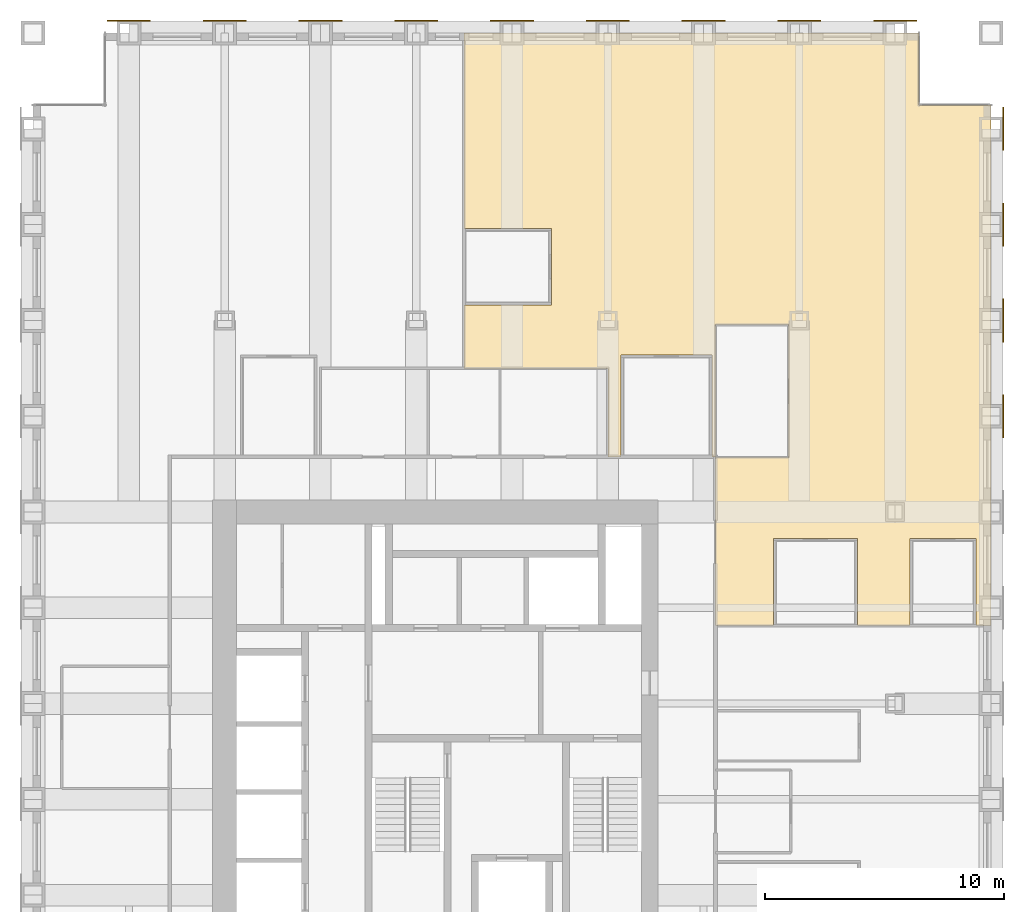
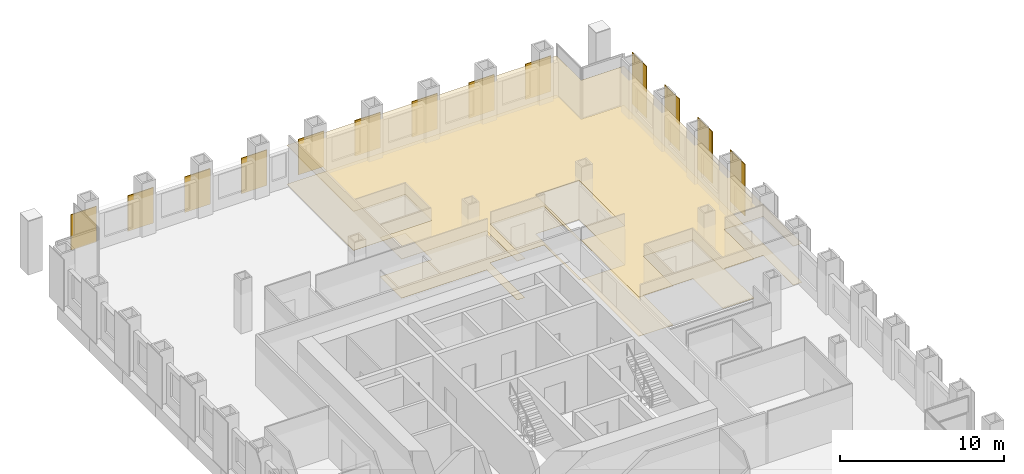
# One storey, part 14 of 14: 13 shading devices, 2 coverings.
"""IFC4 building model written with IfcOpenShell, lengths in metres."""

from ifc_helpers import new_model, si_unit, direction, frame, origin, origin_2d, place, context, subcontext, project, spatial, polyline, rectangle, outline, extrude, material, layer, layer_set, type_object, element, save


model = new_model("IFC4")

# Units and contexts
model_context = context("Model", 3, precision=1e-05, world=origin(), true_north=direction((0.0, 1.0)))
body_context = subcontext(model_context, "Body", "Model", "MODEL_VIEW")
ifc_project = project(units=[si_unit("LENGTHUNIT", "METRE"), si_unit("AREAUNIT", "SQUARE_METRE"), si_unit("VOLUMEUNIT", "CUBIC_METRE"), si_unit("PLANEANGLEUNIT", "RADIAN"), si_unit("MASSUNIT", "GRAM", prefix="KILO")], contexts=[model_context])

# Site, building, storey
site_placement = place(None, origin())
site = spatial("IfcSite", under=ifc_project, at=site_placement, CompositionType="ELEMENT")
building_placement = place(site_placement, origin())
building = spatial("IfcBuilding", under=site, at=building_placement, Name="Rimbunsela Tower", CompositionType="ELEMENT")
storey_placement = place(building_placement, frame((0.0, 0.0, 234.199951171875)))
storey = spatial("IfcBuildingStorey", under=building, at=storey_placement, Name="L56", CompositionType="ELEMENT", Elevation=234.199951171875)

# Coverings
ifc_material_1 = material(Name="Nylon carpet tile", Category="textile")
ifc_layer_1 = layer(ifc_material_1, 0.010009765625)
ifc_layer_set_1 = layer_set([ifc_layer_1], Name="Carpet tile 10")
covering_type_1 = type_object("IfcCoveringType", Name="Carpet tile 10", PredefinedType="FLOORING", material=ifc_layer_set_1)
covering_1_placement = place(storey_placement, origin())
element("IfcCovering", 1, at=covering_1_placement, inside=storey, type_object=covering_type_1, Name="Floor finish Open office", PredefinedType="FLOORING", context=body_context, shape_type="SweptSolid", body=[
    extrude(outline(polyline([(38.5, 38.300048828125), (38.35009765625, 38.300048828125), (38.35009765625, 42.550048828125), (34.550048828125, 42.550048828125), (34.550048828125, 38.300048828125), (34.0, 38.300048828125), (34.0, 42.0), (28.0009765625, 42.0), (28.0009765625, 44.64990234375), (31.64990234375, 44.64990234375), (31.64990234375, 47.85009765625), (28.0009765625, 47.85009765625), (28.0009765625, 56.0), (38.5, 56.0), (47.0, 56.0), (47.0, 53.0), (50.0, 53.0), (50.0, 31.2509765625), (49.375, 31.2509765625), (49.375, 34.89990234375), (46.625, 34.89990234375), (46.625, 31.2509765625), (44.425048828125, 31.2509765625), (44.425048828125, 34.89990234375), (40.925048828125, 34.89990234375), (40.925048828125, 31.2509765625), (38.5, 31.2509765625), (38.5, 38.27587890625), (41.550048828125, 38.27587890625), (41.550048828125, 43.825927734375), (38.5, 43.825927734375), (38.5, 38.300048828125)])), origin(), (0.0, 0.0, 1.0), 0.010009765625),
])
ifc_material_2 = material(Name="Mineral fibre ceiling tile", Category="gypsum")
ifc_layer_2 = layer(ifc_material_2, 0.02001953125)
ifc_layer_set_2 = layer_set([ifc_layer_2], Name="Ceiling 600 grid")
covering_type_2 = type_object("IfcCoveringType", Name="Ceiling 600 grid", PredefinedType="CEILING", material=ifc_layer_set_2)
covering_2_placement = place(storey_placement, frame((0.0, 0.0, 2.900146484375)))
element("IfcCovering", 2, at=covering_2_placement, inside=storey, type_object=covering_type_2, Name="Ceiling Open office", PredefinedType="CEILING", context=body_context, shape_type="SweptSolid", body=[
    extrude(outline(polyline([(38.5, 38.300048828125), (38.35009765625, 38.300048828125), (38.35009765625, 42.550048828125), (34.550048828125, 42.550048828125), (34.550048828125, 38.300048828125), (34.0, 38.300048828125), (34.0, 42.0), (28.0009765625, 42.0), (28.0009765625, 44.64990234375), (31.64990234375, 44.64990234375), (31.64990234375, 47.85009765625), (28.0009765625, 47.85009765625), (28.0009765625, 56.0), (38.5, 56.0), (47.0, 56.0), (47.0, 53.0), (50.0, 53.0), (50.0, 31.2509765625), (49.375, 31.2509765625), (49.375, 34.89990234375), (46.625, 34.89990234375), (46.625, 31.2509765625), (44.425048828125, 31.2509765625), (44.425048828125, 34.89990234375), (40.925048828125, 34.89990234375), (40.925048828125, 31.2509765625), (38.5, 31.2509765625), (38.5, 38.27587890625), (41.550048828125, 38.27587890625), (41.550048828125, 43.825927734375), (38.5, 43.825927734375), (38.5, 38.300048828125)])), origin(), (0.0, 0.0, 1.0), 0.02001953125),
])

# Shading devices
ifc_material_3 = material(Name="Perforated aluminium, 35 % open area", Category="aluminium")
ifc_layer_3 = layer(ifc_material_3, 0.050048828125)
ifc_layer_set_3 = layer_set([ifc_layer_3], Name="Solar screen panel 1800")
shading_device_type = type_object("IfcShadingDeviceType", Name="Solar screen panel 1800", PredefinedType="USERDEFINED", material=ifc_layer_set_3)
for number, where, z_axis, x_axis, name in (
    (3, (50.52490234375, 40.0, 0.0), (0.0, 0.0, 1.0), (0.0, 1.0, 0.0), "Solar screen E L56"),
    (4, (50.52490234375, 44.0, 0.0), (0.0, 0.0, 1.0), (0.0, 1.0, 0.0), "Solar screen E L56"),
    (5, (50.52490234375, 48.0, 0.0), (0.0, 0.0, 1.0), (0.0, 1.0, 0.0), "Solar screen E L56"),
    (6, (50.52490234375, 52.0, 0.0), (0.0, 0.0, 1.0), (0.0, 1.0, 0.0), "Solar screen E L56"),
):
    element("IfcShadingDevice", number, at=place(storey_placement, frame(where, z_axis=z_axis, x_axis=x_axis)), inside=storey, type_object=shading_device_type, Name=name, ObjectType="SCREEN", PredefinedType="USERDEFINED", context=body_context, shape_type="SweptSolid", body=[
        extrude(rectangle(XDim=1.800048828125, YDim=0.050048828125, at=origin_2d()), origin(), (0.0, 0.0, 1.0), 3.85009765625),
    ])
for number, where, z_axis, x_axis, name in (
    (7, (14.0, 56.52490234375, 0.0), (0.0, 0.0, 1.0), (1.0, 0.0, 0.0), "Solar screen N L56"),
    (8, (18.0, 56.52490234375, 0.0), (0.0, 0.0, 1.0), (1.0, 0.0, 0.0), "Solar screen N L56"),
    (9, (22.0, 56.52490234375, 0.0), (0.0, 0.0, 1.0), (1.0, 0.0, 0.0), "Solar screen N L56"),
    (10, (26.0, 56.52490234375, 0.0), (0.0, 0.0, 1.0), (1.0, 0.0, 0.0), "Solar screen N L56"),
    (11, (30.0, 56.52490234375, 0.0), (0.0, 0.0, 1.0), (1.0, 0.0, 0.0), "Solar screen N L56"),
    (12, (34.0, 56.52490234375, 0.0), (0.0, 0.0, 1.0), (1.0, 0.0, 0.0), "Solar screen N L56"),
    (13, (38.0, 56.52490234375, 0.0), (0.0, 0.0, 1.0), (1.0, 0.0, 0.0), "Solar screen N L56"),
    (14, (42.0, 56.52490234375, 0.0), (0.0, 0.0, 1.0), (1.0, 0.0, 0.0), "Solar screen N L56"),
    (15, (46.0, 56.52490234375, 0.0), (0.0, 0.0, 1.0), (1.0, 0.0, 0.0), "Solar screen N L56"),
):
    element("IfcShadingDevice", number, at=place(storey_placement, frame(where, z_axis=z_axis, x_axis=x_axis)), inside=storey, type_object=shading_device_type, Name=name, ObjectType="SCREEN", PredefinedType="USERDEFINED", context=body_context, shape_type="SweptSolid", body=[
        extrude(rectangle(XDim=1.800048828125, YDim=0.050048828125, at=origin_2d()), origin(), (0.0, 0.0, 1.0), 2.64990234375),
    ])

save(model, "model.ifc")
